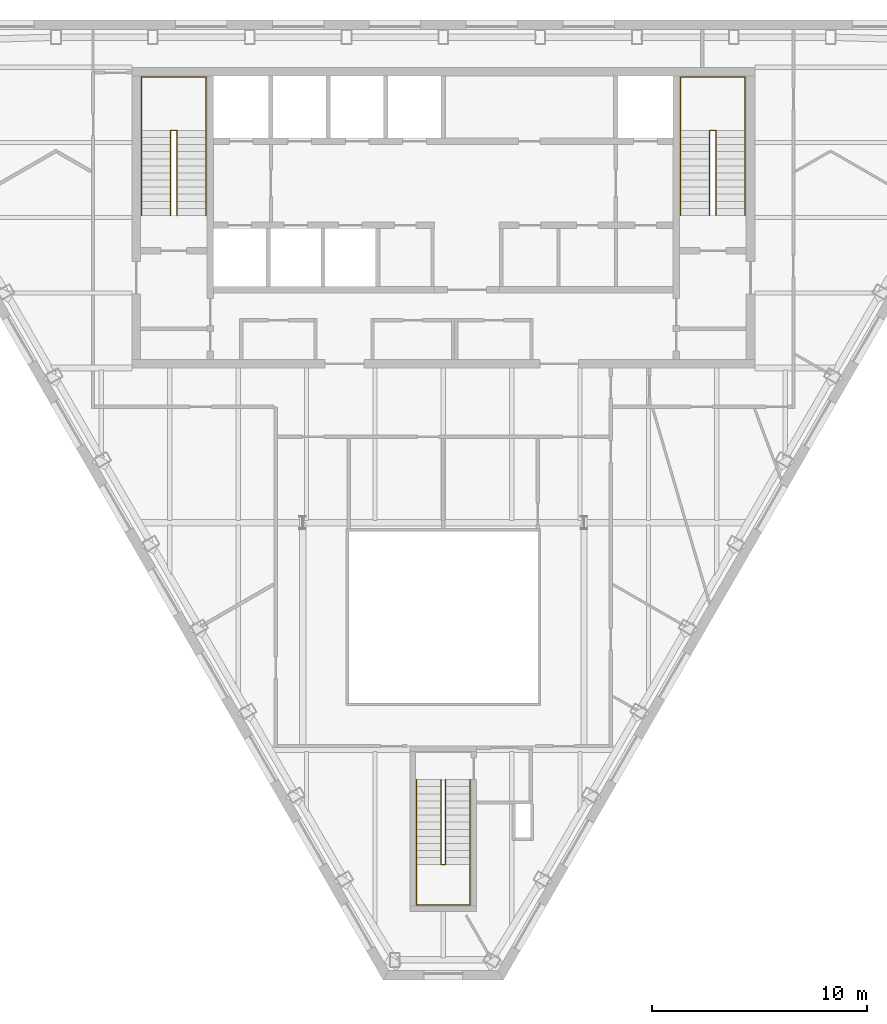
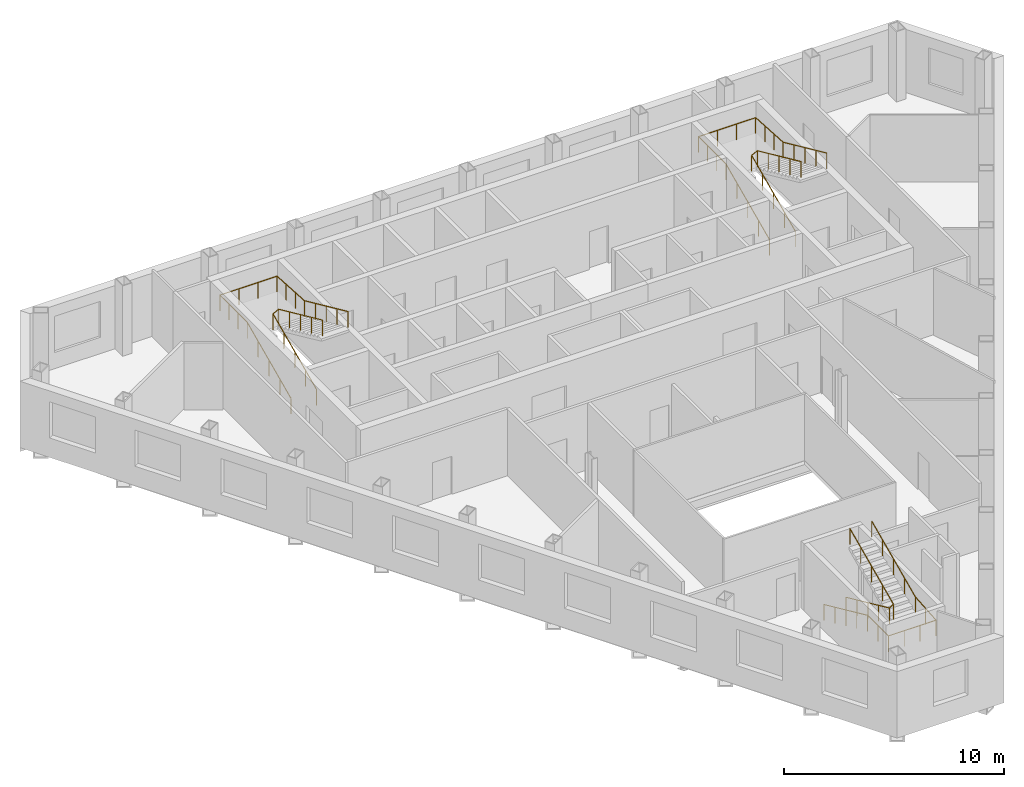
# One storey, part 10 of 10: 6 railings.
"""IFC4 building model written with IfcOpenShell, lengths in metres."""

from ifc_helpers import new_model, si_unit, direction, frame, origin, origin_2d, place, context, subcontext, project, spatial, circle, extrude, material, type_object, element, save


model = new_model("IFC4")

# Units and contexts
model_context = context("Model", 3, precision=1e-05, world=origin(), true_north=direction((0.0, 1.0)))
body_context = subcontext(model_context, "Body", "Model", "MODEL_VIEW")
ifc_project = project(units=[si_unit("LENGTHUNIT", "METRE"), si_unit("AREAUNIT", "SQUARE_METRE"), si_unit("VOLUMEUNIT", "CUBIC_METRE"), si_unit("PLANEANGLEUNIT", "RADIAN"), si_unit("MASSUNIT", "GRAM", prefix="KILO")], contexts=[model_context])

# Site, building, storey
site_placement = place(None, origin())
site = spatial("IfcSite", under=ifc_project, at=site_placement, CompositionType="ELEMENT")
building_placement = place(site_placement, origin())
building = spatial("IfcBuilding", under=site, at=building_placement, Name="Njiva Tower", CompositionType="ELEMENT")
storey_placement = place(building_placement, frame((0.0, 0.0, 268.8)))
storey = spatial("IfcBuildingStorey", under=building, at=storey_placement, Name="L61", CompositionType="ELEMENT", Elevation=268.8)

# Railings
ifc_material = material(Name="Stainless steel", Category="steel")
railing_type = type_object("IfcRailingType", Name="RL1 Stair handrail 900", PredefinedType="HANDRAIL", material=ifc_material)
railing_1_placement = place(storey_placement, frame((-14.05, 11.1, 0.15)))
element("IfcRailing", 1, at=railing_1_placement, inside=storey, type_object=railing_type, Name="Stair A handrail", PredefinedType="HANDRAIL", context=body_context, shape_type="SweptSolid", body=[
    extrude(circle(Radius=0.024, at=origin_2d()), frame((0.0, 0.0, 0.876), z_axis=(0.0, 0.910366477463, 0.413802944301), x_axis=(-1.0, 0.0, 0.0)), (0.0, 0.0, 1.0), 4.3499),
    extrude(circle(Radius=0.024, at=origin_2d()), frame((0.0, 3.96, 2.676), z_axis=(0.0, 1.0, 0.0), x_axis=(-1.0, 0.0, 0.0)), (0.0, 0.0, 1.0), 2.49),
    extrude(circle(Radius=0.024, at=origin_2d()), frame((0.0, 6.45, 2.676), z_axis=(1.0, 0.0, 0.0), x_axis=(0.0, 1.0, 0.0)), (0.0, 0.0, 1.0), 3.0),
    extrude(circle(Radius=0.024, at=origin_2d()), frame((3.0, 6.45, 2.676), z_axis=(0.0, -0.998190436793, 0.060131954024), x_axis=(1.0, 0.0, 0.0)), (0.0, 0.0, 1.0), 2.4945),
    extrude(circle(Radius=0.024, at=origin_2d()), frame((3.0, 3.96, 2.826), z_axis=(0.0, -0.910366477463, 0.413802944301), x_axis=(1.0, 0.0, 0.0)), (0.0, 0.0, 1.0), 4.3499),
    extrude(circle(Radius=0.021, at=origin_2d()), origin(), (0.0, 0.0, 1.0), 0.852),
    extrude(circle(Radius=0.021, at=origin_2d()), frame((0.0, 0.99, 0.45)), (0.0, 0.0, 1.0), 0.852),
    extrude(circle(Radius=0.021, at=origin_2d()), frame((0.0, 1.98, 0.9)), (0.0, 0.0, 1.0), 0.852),
    extrude(circle(Radius=0.021, at=origin_2d()), frame((0.0, 2.97, 1.35)), (0.0, 0.0, 1.0), 0.852),
    extrude(circle(Radius=0.021, at=origin_2d()), frame((0.0, 3.96, 1.8)), (0.0, 0.0, 1.0), 0.852),
    extrude(circle(Radius=0.021, at=origin_2d()), frame((0.0, 4.79, 1.8)), (0.0, 0.0, 1.0), 0.852),
    extrude(circle(Radius=0.021, at=origin_2d()), frame((0.0, 5.62, 1.8)), (0.0, 0.0, 1.0), 0.852),
    extrude(circle(Radius=0.021, at=origin_2d()), frame((0.0, 6.45, 1.8)), (0.0, 0.0, 1.0), 0.852),
    extrude(circle(Radius=0.021, at=origin_2d()), frame((1.0, 6.45, 1.8)), (0.0, 0.0, 1.0), 0.852),
    extrude(circle(Radius=0.021, at=origin_2d()), frame((2.0, 6.45, 1.8)), (0.0, 0.0, 1.0), 0.852),
    extrude(circle(Radius=0.021, at=origin_2d()), frame((3.0, 6.45, 1.8)), (0.0, 0.0, 1.0), 0.852),
    extrude(circle(Radius=0.021, at=origin_2d()), frame((3.0, 5.62, 1.85)), (0.0, 0.0, 1.0), 0.852),
    extrude(circle(Radius=0.021, at=origin_2d()), frame((3.0, 4.79, 1.9)), (0.0, 0.0, 1.0), 0.852),
    extrude(circle(Radius=0.021, at=origin_2d()), frame((3.0, 3.96, 1.95)), (0.0, 0.0, 1.0), 0.852),
    extrude(circle(Radius=0.021, at=origin_2d()), frame((3.0, 2.97, 2.4)), (0.0, 0.0, 1.0), 0.852),
    extrude(circle(Radius=0.021, at=origin_2d()), frame((3.0, 1.98, 2.85)), (0.0, 0.0, 1.0), 0.852),
    extrude(circle(Radius=0.021, at=origin_2d()), frame((3.0, 0.99, 3.3)), (0.0, 0.0, 1.0), 0.852),
    extrude(circle(Radius=0.021, at=origin_2d()), frame((3.0, 0.0, 3.75)), (0.0, 0.0, 1.0), 0.852),
])
railing_2_placement = place(storey_placement, frame((-12.7, 11.1, 0.15)))
element("IfcRailing", 2, at=railing_2_placement, inside=storey, type_object=railing_type, Name="Stair A handrail", PredefinedType="HANDRAIL", context=body_context, shape_type="SweptSolid", body=[
    extrude(circle(Radius=0.024, at=origin_2d()), frame((0.0, 0.0, 0.876), z_axis=(0.0, 0.910366477463, 0.413802944301), x_axis=(-1.0, 0.0, 0.0)), (0.0, 0.0, 1.0), 4.3499),
    extrude(circle(Radius=0.024, at=origin_2d()), frame((0.0, 3.96, 2.676), z_axis=(0.894427191, 0.0, 0.4472135955), x_axis=(0.0, 1.0, 0.0)), (0.0, 0.0, 1.0), 0.3354),
    extrude(circle(Radius=0.024, at=origin_2d()), frame((0.3, 3.96, 2.826), z_axis=(0.0, -0.910366477463, 0.413802944301), x_axis=(1.0, 0.0, 0.0)), (0.0, 0.0, 1.0), 4.3499),
    extrude(circle(Radius=0.021, at=origin_2d()), origin(), (0.0, 0.0, 1.0), 0.852),
    extrude(circle(Radius=0.021, at=origin_2d()), frame((0.0, 0.99, 0.45)), (0.0, 0.0, 1.0), 0.852),
    extrude(circle(Radius=0.021, at=origin_2d()), frame((0.0, 1.98, 0.9)), (0.0, 0.0, 1.0), 0.852),
    extrude(circle(Radius=0.021, at=origin_2d()), frame((0.0, 2.97, 1.35)), (0.0, 0.0, 1.0), 0.852),
    extrude(circle(Radius=0.021, at=origin_2d()), frame((0.0, 3.96, 1.8)), (0.0, 0.0, 1.0), 0.852),
    extrude(circle(Radius=0.021, at=origin_2d()), frame((0.3, 3.96, 1.95)), (0.0, 0.0, 1.0), 0.852),
    extrude(circle(Radius=0.021, at=origin_2d()), frame((0.3, 2.97, 2.4)), (0.0, 0.0, 1.0), 0.852),
    extrude(circle(Radius=0.021, at=origin_2d()), frame((0.3, 1.98, 2.85)), (0.0, 0.0, 1.0), 0.852),
    extrude(circle(Radius=0.021, at=origin_2d()), frame((0.3, 0.99, 3.3)), (0.0, 0.0, 1.0), 0.852),
    extrude(circle(Radius=0.021, at=origin_2d()), frame((0.3, 0.0, 3.75)), (0.0, 0.0, 1.0), 0.852),
])
railing_3_placement = place(storey_placement, frame((11.05, 11.1, 0.15)))
element("IfcRailing", 3, at=railing_3_placement, inside=storey, type_object=railing_type, Name="Stair B handrail", PredefinedType="HANDRAIL", context=body_context, shape_type="SweptSolid", body=[
    extrude(circle(Radius=0.024, at=origin_2d()), frame((0.0, 0.0, 0.876), z_axis=(0.0, 0.910366477463, 0.413802944301), x_axis=(-1.0, 0.0, 0.0)), (0.0, 0.0, 1.0), 4.3499),
    extrude(circle(Radius=0.024, at=origin_2d()), frame((0.0, 3.96, 2.676), z_axis=(0.0, 1.0, 0.0), x_axis=(-1.0, 0.0, 0.0)), (0.0, 0.0, 1.0), 2.49),
    extrude(circle(Radius=0.024, at=origin_2d()), frame((0.0, 6.45, 2.676), z_axis=(1.0, 0.0, 0.0), x_axis=(0.0, 1.0, 0.0)), (0.0, 0.0, 1.0), 3.0),
    extrude(circle(Radius=0.024, at=origin_2d()), frame((3.0, 6.45, 2.676), z_axis=(0.0, -0.998190436793, 0.060131954024), x_axis=(1.0, 0.0, 0.0)), (0.0, 0.0, 1.0), 2.4945),
    extrude(circle(Radius=0.024, at=origin_2d()), frame((3.0, 3.96, 2.826), z_axis=(0.0, -0.910366477463, 0.413802944301), x_axis=(1.0, 0.0, 0.0)), (0.0, 0.0, 1.0), 4.3499),
    extrude(circle(Radius=0.021, at=origin_2d()), origin(), (0.0, 0.0, 1.0), 0.852),
    extrude(circle(Radius=0.021, at=origin_2d()), frame((0.0, 0.99, 0.45)), (0.0, 0.0, 1.0), 0.852),
    extrude(circle(Radius=0.021, at=origin_2d()), frame((0.0, 1.98, 0.9)), (0.0, 0.0, 1.0), 0.852),
    extrude(circle(Radius=0.021, at=origin_2d()), frame((0.0, 2.97, 1.35)), (0.0, 0.0, 1.0), 0.852),
    extrude(circle(Radius=0.021, at=origin_2d()), frame((0.0, 3.96, 1.8)), (0.0, 0.0, 1.0), 0.852),
    extrude(circle(Radius=0.021, at=origin_2d()), frame((0.0, 4.79, 1.8)), (0.0, 0.0, 1.0), 0.852),
    extrude(circle(Radius=0.021, at=origin_2d()), frame((0.0, 5.62, 1.8)), (0.0, 0.0, 1.0), 0.852),
    extrude(circle(Radius=0.021, at=origin_2d()), frame((0.0, 6.45, 1.8)), (0.0, 0.0, 1.0), 0.852),
    extrude(circle(Radius=0.021, at=origin_2d()), frame((1.0, 6.45, 1.8)), (0.0, 0.0, 1.0), 0.852),
    extrude(circle(Radius=0.021, at=origin_2d()), frame((2.0, 6.45, 1.8)), (0.0, 0.0, 1.0), 0.852),
    extrude(circle(Radius=0.021, at=origin_2d()), frame((3.0, 6.45, 1.8)), (0.0, 0.0, 1.0), 0.852),
    extrude(circle(Radius=0.021, at=origin_2d()), frame((3.0, 5.62, 1.85)), (0.0, 0.0, 1.0), 0.852),
    extrude(circle(Radius=0.021, at=origin_2d()), frame((3.0, 4.79, 1.9)), (0.0, 0.0, 1.0), 0.852),
    extrude(circle(Radius=0.021, at=origin_2d()), frame((3.0, 3.96, 1.95)), (0.0, 0.0, 1.0), 0.852),
    extrude(circle(Radius=0.021, at=origin_2d()), frame((3.0, 2.97, 2.4)), (0.0, 0.0, 1.0), 0.852),
    extrude(circle(Radius=0.021, at=origin_2d()), frame((3.0, 1.98, 2.85)), (0.0, 0.0, 1.0), 0.852),
    extrude(circle(Radius=0.021, at=origin_2d()), frame((3.0, 0.99, 3.3)), (0.0, 0.0, 1.0), 0.852),
    extrude(circle(Radius=0.021, at=origin_2d()), frame((3.0, 0.0, 3.75)), (0.0, 0.0, 1.0), 0.852),
])
railing_4_placement = place(storey_placement, frame((12.4, 11.1, 0.15)))
element("IfcRailing", 4, at=railing_4_placement, inside=storey, type_object=railing_type, Name="Stair B handrail", PredefinedType="HANDRAIL", context=body_context, shape_type="SweptSolid", body=[
    extrude(circle(Radius=0.024, at=origin_2d()), frame((0.0, 0.0, 0.876), z_axis=(0.0, 0.910366477463, 0.413802944301), x_axis=(-1.0, 0.0, 0.0)), (0.0, 0.0, 1.0), 4.3499),
    extrude(circle(Radius=0.024, at=origin_2d()), frame((0.0, 3.96, 2.676), z_axis=(0.894427191, 0.0, 0.4472135955), x_axis=(0.0, 1.0, 0.0)), (0.0, 0.0, 1.0), 0.3354),
    extrude(circle(Radius=0.024, at=origin_2d()), frame((0.3, 3.96, 2.826), z_axis=(0.0, -0.910366477463, 0.413802944301), x_axis=(1.0, 0.0, 0.0)), (0.0, 0.0, 1.0), 4.3499),
    extrude(circle(Radius=0.021, at=origin_2d()), origin(), (0.0, 0.0, 1.0), 0.852),
    extrude(circle(Radius=0.021, at=origin_2d()), frame((0.0, 0.99, 0.45)), (0.0, 0.0, 1.0), 0.852),
    extrude(circle(Radius=0.021, at=origin_2d()), frame((0.0, 1.98, 0.9)), (0.0, 0.0, 1.0), 0.852),
    extrude(circle(Radius=0.021, at=origin_2d()), frame((0.0, 2.97, 1.35)), (0.0, 0.0, 1.0), 0.852),
    extrude(circle(Radius=0.021, at=origin_2d()), frame((0.0, 3.96, 1.8)), (0.0, 0.0, 1.0), 0.852),
    extrude(circle(Radius=0.021, at=origin_2d()), frame((0.3, 3.96, 1.95)), (0.0, 0.0, 1.0), 0.852),
    extrude(circle(Radius=0.021, at=origin_2d()), frame((0.3, 2.97, 2.4)), (0.0, 0.0, 1.0), 0.852),
    extrude(circle(Radius=0.021, at=origin_2d()), frame((0.3, 1.98, 2.85)), (0.0, 0.0, 1.0), 0.852),
    extrude(circle(Radius=0.021, at=origin_2d()), frame((0.3, 0.99, 3.3)), (0.0, 0.0, 1.0), 0.852),
    extrude(circle(Radius=0.021, at=origin_2d()), frame((0.3, 0.0, 3.75)), (0.0, 0.0, 1.0), 0.852),
])
railing_5_placement = place(storey_placement, frame((-1.25, -15.16, 0.15)))
element("IfcRailing", 5, at=railing_5_placement, inside=storey, type_object=railing_type, Name="Stair C handrail", PredefinedType="HANDRAIL", context=body_context, shape_type="SweptSolid", body=[
    extrude(circle(Radius=0.024, at=origin_2d()), frame((0.0, 0.0, 0.876), z_axis=(0.0, -0.910366477463, 0.413802944301), x_axis=(1.0, 0.0, 0.0)), (0.0, 0.0, 1.0), 4.3499),
    extrude(circle(Radius=0.024, at=origin_2d()), frame((0.0, -3.96, 2.676), z_axis=(0.0, -1.0, 0.0), x_axis=(1.0, 0.0, 0.0)), (0.0, 0.0, 1.0), 1.88),
    extrude(circle(Radius=0.024, at=origin_2d()), frame((0.0, -5.84, 2.676), z_axis=(1.0, 0.0, 0.0), x_axis=(0.0, 1.0, 0.0)), (0.0, 0.0, 1.0), 2.5),
    extrude(circle(Radius=0.024, at=origin_2d()), frame((2.5, -5.84, 2.676), z_axis=(0.0, 0.996832115713, 0.079534477318), x_axis=(-1.0, 0.0, 0.0)), (0.0, 0.0, 1.0), 1.886),
    extrude(circle(Radius=0.024, at=origin_2d()), frame((2.5, -3.96, 2.826), z_axis=(0.0, 0.910366477463, 0.413802944301), x_axis=(-1.0, 0.0, 0.0)), (0.0, 0.0, 1.0), 4.3499),
    extrude(circle(Radius=0.021, at=origin_2d()), origin(), (0.0, 0.0, 1.0), 0.852),
    extrude(circle(Radius=0.021, at=origin_2d()), frame((0.0, -0.99, 0.45)), (0.0, 0.0, 1.0), 0.852),
    extrude(circle(Radius=0.021, at=origin_2d()), frame((0.0, -1.98, 0.9)), (0.0, 0.0, 1.0), 0.852),
    extrude(circle(Radius=0.021, at=origin_2d()), frame((0.0, -2.97, 1.35)), (0.0, 0.0, 1.0), 0.852),
    extrude(circle(Radius=0.021, at=origin_2d()), frame((0.0, -3.96, 1.8)), (0.0, 0.0, 1.0), 0.852),
    extrude(circle(Radius=0.021, at=origin_2d()), frame((0.0, -4.9, 1.8)), (0.0, 0.0, 1.0), 0.852),
    extrude(circle(Radius=0.021, at=origin_2d()), frame((0.0, -5.84, 1.8)), (0.0, 0.0, 1.0), 0.852),
    extrude(circle(Radius=0.021, at=origin_2d()), frame((0.8333, -5.84, 1.8)), (0.0, 0.0, 1.0), 0.852),
    extrude(circle(Radius=0.021, at=origin_2d()), frame((1.6667, -5.84, 1.8)), (0.0, 0.0, 1.0), 0.852),
    extrude(circle(Radius=0.021, at=origin_2d()), frame((2.5, -5.84, 1.8)), (0.0, 0.0, 1.0), 0.852),
    extrude(circle(Radius=0.021, at=origin_2d()), frame((2.5, -4.9, 1.875)), (0.0, 0.0, 1.0), 0.852),
    extrude(circle(Radius=0.021, at=origin_2d()), frame((2.5, -3.96, 1.95)), (0.0, 0.0, 1.0), 0.852),
    extrude(circle(Radius=0.021, at=origin_2d()), frame((2.5, -2.97, 2.4)), (0.0, 0.0, 1.0), 0.852),
    extrude(circle(Radius=0.021, at=origin_2d()), frame((2.5, -1.98, 2.85)), (0.0, 0.0, 1.0), 0.852),
    extrude(circle(Radius=0.021, at=origin_2d()), frame((2.5, -0.99, 3.3)), (0.0, 0.0, 1.0), 0.852),
    extrude(circle(Radius=0.021, at=origin_2d()), frame((2.5, 0.0, 3.75)), (0.0, 0.0, 1.0), 0.852),
])
railing_6_placement = place(storey_placement, frame((-0.1, -15.16, 0.15)))
element("IfcRailing", 6, at=railing_6_placement, inside=storey, type_object=railing_type, Name="Stair C handrail", PredefinedType="HANDRAIL", context=body_context, shape_type="SweptSolid", body=[
    extrude(circle(Radius=0.024, at=origin_2d()), frame((0.0, 0.0, 0.876), z_axis=(0.0, -0.910366477463, 0.413802944301), x_axis=(1.0, 0.0, 0.0)), (0.0, 0.0, 1.0), 4.3499),
    extrude(circle(Radius=0.024, at=origin_2d()), frame((0.0, -3.96, 2.676), z_axis=(0.8, 0.0, 0.6), x_axis=(0.0, 1.0, 0.0)), (0.0, 0.0, 1.0), 0.25),
    extrude(circle(Radius=0.024, at=origin_2d()), frame((0.2, -3.96, 2.826), z_axis=(0.0, 0.910366477463, 0.413802944301), x_axis=(-1.0, 0.0, 0.0)), (0.0, 0.0, 1.0), 4.3499),
    extrude(circle(Radius=0.021, at=origin_2d()), origin(), (0.0, 0.0, 1.0), 0.852),
    extrude(circle(Radius=0.021, at=origin_2d()), frame((0.0, -0.99, 0.45)), (0.0, 0.0, 1.0), 0.852),
    extrude(circle(Radius=0.021, at=origin_2d()), frame((0.0, -1.98, 0.9)), (0.0, 0.0, 1.0), 0.852),
    extrude(circle(Radius=0.021, at=origin_2d()), frame((0.0, -2.97, 1.35)), (0.0, 0.0, 1.0), 0.852),
    extrude(circle(Radius=0.021, at=origin_2d()), frame((0.0, -3.96, 1.8)), (0.0, 0.0, 1.0), 0.852),
    extrude(circle(Radius=0.021, at=origin_2d()), frame((0.2, -3.96, 1.95)), (0.0, 0.0, 1.0), 0.852),
    extrude(circle(Radius=0.021, at=origin_2d()), frame((0.2, -2.97, 2.4)), (0.0, 0.0, 1.0), 0.852),
    extrude(circle(Radius=0.021, at=origin_2d()), frame((0.2, -1.98, 2.85)), (0.0, 0.0, 1.0), 0.852),
    extrude(circle(Radius=0.021, at=origin_2d()), frame((0.2, -0.99, 3.3)), (0.0, 0.0, 1.0), 0.852),
    extrude(circle(Radius=0.021, at=origin_2d()), frame((0.2, 0.0, 3.75)), (0.0, 0.0, 1.0), 0.852),
])

save(model, "model.ifc")
